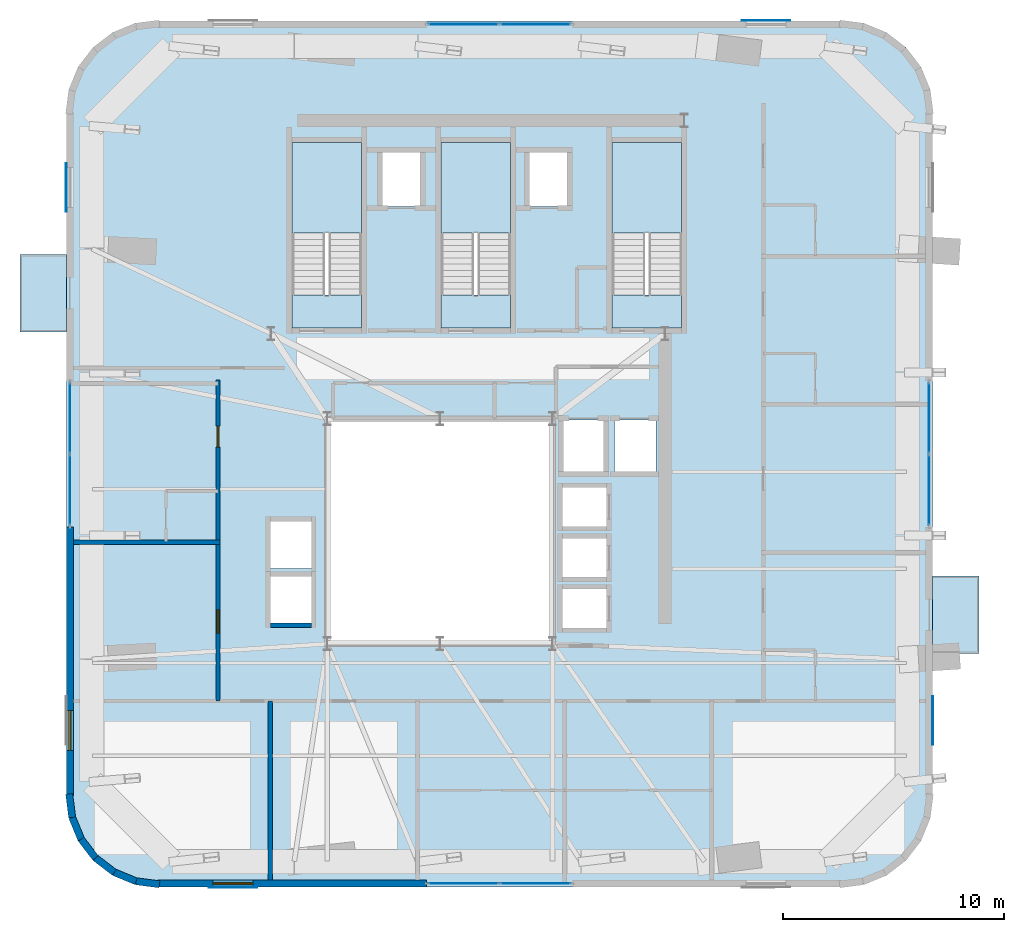
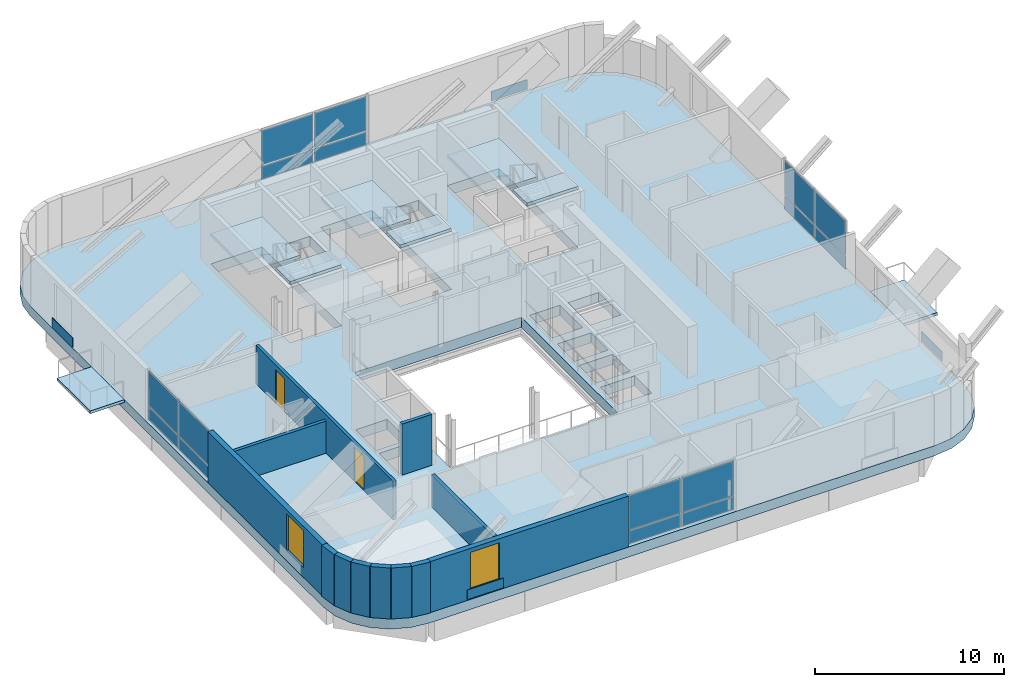
# One storey, part 5 of 12: 20 plates, 12 walls, 9 slabs, 2 doors, 2 windows, 4 openings, 7 elements without a shape of their own.
"""IFC4 building model written with IfcOpenShell, lengths in metres."""

from ifc_helpers import new_model, si_unit, direction, frame, frame_2d, origin, origin_2d, place, context, subcontext, project, spatial, polyline, rectangle, outline, extrude, source, transform, mapped, material, layer, layer_set, type_object, element, fill, aggregate, save


model = new_model("IFC4")

# Units and contexts
model_context = context("Model", 3, precision=1e-05, world=origin(), true_north=direction((0.0, 1.0)))
body_context = subcontext(model_context, "Body", "Model", "MODEL_VIEW")
ifc_project = project(units=[si_unit("LENGTHUNIT", "METRE"), si_unit("AREAUNIT", "SQUARE_METRE"), si_unit("VOLUMEUNIT", "CUBIC_METRE"), si_unit("PLANEANGLEUNIT", "RADIAN"), si_unit("MASSUNIT", "GRAM", prefix="KILO")], contexts=[model_context])

# Site, building, storey
site_placement = place(None, origin())
site = spatial("IfcSite", under=ifc_project, at=site_placement, CompositionType="ELEMENT")
building_placement = place(site_placement, origin())
building = spatial("IfcBuilding", under=site, at=building_placement, Name="Vardaveli Station Tower", CompositionType="ELEMENT")
storey_placement = place(building_placement, frame((0.0, 0.0, 282.199951171875)))
storey = spatial("IfcBuildingStorey", under=building, at=storey_placement, Name="L72", CompositionType="ELEMENT", Elevation=282.199951171875)

# Stair, slabs
ifc_material_1 = material(Name="Concrete C40/50", Category="concrete")
stair_type = type_object("IfcStairType", Name="STR-CORE-1500", PredefinedType="HALF_TURN_STAIR", material=ifc_material_1)
stair_1_placement = place(storey_placement, origin())
stair_1 = element("IfcStair", 1, at=stair_1_placement, inside=storey, type_object=stair_type, Name="L72 ST-1", PredefinedType="HALF_TURN_STAIR")
ifc_layer_1 = layer(ifc_material_1, 0.199951171875, Name="Concrete C40/50")
ifc_layer_set_1 = layer_set([ifc_layer_1], Name="Concrete C40/50")
slab_type_1 = type_object("IfcSlabType", Name="SLB-LAND-200", PredefinedType="LANDING", material=ifc_layer_set_1)
slab_1_placement = place(storey_placement, frame((0.0, 0.0, 1.775146484375)))
slab_1 = element("IfcSlab", 2, at=slab_1_placement, type_object=slab_type_1, Name="ST-1 landing 1", PredefinedType="LANDING", context=body_context, shape_type="SweptSolid", body=[
    extrude(outline(polyline([(32.75, 35.199951171875), (32.75, 39.300048828125), (29.60009765625, 39.300048828125), (29.60009765625, 35.199951171875), (32.75, 35.199951171875)])), origin(), (0.0, 0.0, 1.0), 0.199951171875),
])
slab_2_placement = place(storey_placement, frame((0.0, 0.0, 3.75)))
slab_2 = element("IfcSlab", 3, at=slab_2_placement, type_object=slab_type_1, Name="ST-1 landing 2", PredefinedType="LANDING", context=body_context, shape_type="SweptSolid", body=[
    extrude(outline(polyline([(32.75, 30.89990234375), (32.75, 32.39990234375), (29.60009765625, 32.39990234375), (29.60009765625, 30.89990234375), (32.75, 30.89990234375)])), origin(), (0.0, 0.0, 1.0), 0.199951171875),
])
aggregate(stair_1, [slab_1, slab_2])

stair_2_placement = place(storey_placement, origin())
stair_2 = element("IfcStair", 4, at=stair_2_placement, inside=storey, type_object=stair_type, Name="L72 ST-2", PredefinedType="HALF_TURN_STAIR")
slab_3_placement = place(storey_placement, frame((0.0, 0.0, 1.775146484375)))
slab_3 = element("IfcSlab", 5, at=slab_3_placement, type_object=slab_type_1, Name="ST-2 landing 1", PredefinedType="LANDING", context=body_context, shape_type="SweptSolid", body=[
    extrude(outline(polyline([(39.5, 35.199951171875), (39.5, 39.300048828125), (36.35009765625, 39.300048828125), (36.35009765625, 35.199951171875), (39.5, 35.199951171875)])), origin(), (0.0, 0.0, 1.0), 0.199951171875),
])
slab_4_placement = place(storey_placement, frame((0.0, 0.0, 3.75)))
slab_4 = element("IfcSlab", 6, at=slab_4_placement, type_object=slab_type_1, Name="ST-2 landing 2", PredefinedType="LANDING", context=body_context, shape_type="SweptSolid", body=[
    extrude(outline(polyline([(39.5, 30.89990234375), (39.5, 32.39990234375), (36.35009765625, 32.39990234375), (36.35009765625, 30.89990234375), (39.5, 30.89990234375)])), origin(), (0.0, 0.0, 1.0), 0.199951171875),
])
aggregate(stair_2, [slab_3, slab_4])

stair_3_placement = place(storey_placement, origin())
stair_3 = element("IfcStair", 7, at=stair_3_placement, inside=storey, type_object=stair_type, Name="L72 ST-3", PredefinedType="HALF_TURN_STAIR")
slab_5_placement = place(storey_placement, frame((0.0, 0.0, 1.775146484375)))
slab_5 = element("IfcSlab", 8, at=slab_5_placement, type_object=slab_type_1, Name="ST-3 landing 1", PredefinedType="LANDING", context=body_context, shape_type="SweptSolid", body=[
    extrude(outline(polyline([(47.25, 35.199951171875), (47.25, 39.300048828125), (44.10009765625, 39.300048828125), (44.10009765625, 35.199951171875), (47.25, 35.199951171875)])), origin(), (0.0, 0.0, 1.0), 0.199951171875),
])
slab_6_placement = place(storey_placement, frame((0.0, 0.0, 3.75)))
slab_6 = element("IfcSlab", 9, at=slab_6_placement, type_object=slab_type_1, Name="ST-3 landing 2", PredefinedType="LANDING", context=body_context, shape_type="SweptSolid", body=[
    extrude(outline(polyline([(47.25, 30.89990234375), (47.25, 32.39990234375), (44.10009765625, 32.39990234375), (44.10009765625, 30.89990234375), (47.25, 30.89990234375)])), origin(), (0.0, 0.0, 1.0), 0.199951171875),
])
aggregate(stair_3, [slab_5, slab_6])

# Slabs
ifc_material_2 = material(Name="Precast concrete C45/55", Category="concrete")
ifc_layer_2 = layer(ifc_material_2, 0.179931640625, Name="Precast concrete C45/55")
ifc_layer_set_2 = layer_set([ifc_layer_2], Name="Precast concrete C45/55")
slab_type_2 = type_object("IfcSlabType", Name="SLB-LOGGIA-180", PredefinedType="FLOOR", material=ifc_layer_set_2)
slab_7_placement = place(storey_placement, frame((0.0, 0.0, -0.179931640625)))
element("IfcSlab", 10, at=slab_7_placement, inside=storey, type_object=slab_type_2, Name="LOG-L72-W", PredefinedType="FLOOR", context=body_context, shape_type="SweptSolid", body=[
    extrude(outline(polyline([(17.280029296875, 30.73388671875), (19.3798828125, 30.73388671875), (19.3798828125, 34.23388671875), (17.280029296875, 34.23388671875), (17.280029296875, 30.73388671875)])), origin(), (0.0, 0.0, 1.0), 0.179931640625),
])
slab_8_placement = place(storey_placement, frame((0.0, 0.0, -0.179931640625)))
element("IfcSlab", 11, at=slab_8_placement, inside=storey, type_object=slab_type_2, Name="LOG-L72-E", PredefinedType="FLOOR", context=body_context, shape_type="SweptSolid", body=[
    extrude(outline(polyline([(58.6201171875, 16.166015625), (60.719970703125, 16.166015625), (60.719970703125, 19.666015625), (58.6201171875, 19.666015625), (58.6201171875, 16.166015625)])), origin(), (0.0, 0.0, 1.0), 0.179931640625),
])
ifc_material_3 = material(Name="Concrete C50/60", Category="concrete")
ifc_layer_3 = layer(ifc_material_3, 0.64990234375, Name="Concrete C50/60")
ifc_layer_set_3 = layer_set([ifc_layer_3], Name="Concrete C50/60")
slab_type_3 = type_object("IfcSlabType", Name="SLB-TRANS-600", PredefinedType="FLOOR", material=ifc_layer_set_3)
slab_9_placement = place(storey_placement, frame((0.0, 0.0, -0.64990234375)))
element("IfcSlab", 12, at=slab_9_placement, inside=storey, type_object=slab_type_3, Name="SLB-L72-MAIN", PredefinedType="FLOOR", context=body_context, shape_type="SweptSolid", body=[
    extrude(outline(polyline([(19.3798828125, 9.699951171875), (19.5205078125, 8.633544921875), (19.931884765625, 7.639892578125), (20.586669921875, 6.78662109375), (21.43994140625, 6.132080078125), (22.43359375, 5.720458984375), (23.5, 5.580078125), (54.5, 5.580078125), (55.56640625, 5.720458984375), (56.56005859375, 6.132080078125), (57.413330078125, 6.78662109375), (58.068115234375, 7.639892578125), (58.4794921875, 8.633544921875), (58.6201171875, 9.699951171875), (58.6201171875, 40.699951171875), (58.4794921875, 41.766357421875), (58.068115234375, 42.760009765625), (57.413330078125, 43.61328125), (56.56005859375, 44.26806640625), (55.56640625, 44.6796875), (54.5, 44.820068359375), (23.5, 44.820068359375), (22.43359375, 44.6796875), (21.43994140625, 44.26806640625), (20.586669921875, 43.61328125), (19.931884765625, 42.760009765625), (19.5205078125, 41.766357421875), (19.3798828125, 40.699951171875), (19.3798828125, 9.699951171875)]), holes=[polyline([(31.199951171875, 16.60009765625), (41.39990234375, 16.60009765625), (41.39990234375, 26.800048828125), (31.199951171875, 26.800048828125), (31.199951171875, 16.60009765625)]), polyline([(32.75, 30.89990234375), (32.75, 39.300048828125), (29.60009765625, 39.300048828125), (29.60009765625, 30.89990234375), (32.75, 30.89990234375)]), polyline([(39.5, 30.89990234375), (39.5, 39.300048828125), (36.35009765625, 39.300048828125), (36.35009765625, 30.89990234375), (39.5, 30.89990234375)]), polyline([(47.25, 30.89990234375), (47.25, 39.300048828125), (44.10009765625, 39.300048828125), (44.10009765625, 30.89990234375), (47.25, 30.89990234375)]), polyline([(33.659912109375, 36.409912109375), (35.43994140625, 36.409912109375), (35.43994140625, 38.889892578125), (33.659912109375, 38.889892578125), (33.659912109375, 36.409912109375)]), polyline([(40.31005859375, 36.409912109375), (42.090087890625, 36.409912109375), (42.090087890625, 38.889892578125), (40.31005859375, 38.889892578125), (40.31005859375, 36.409912109375)]), polyline([(41.81005859375, 21.885009765625), (43.889892578125, 21.885009765625), (43.889892578125, 23.715087890625), (41.81005859375, 23.715087890625), (41.81005859375, 21.885009765625)]), polyline([(41.81005859375, 19.5849609375), (43.889892578125, 19.5849609375), (43.889892578125, 21.4150390625), (41.81005859375, 21.4150390625), (41.81005859375, 19.5849609375)]), polyline([(41.81005859375, 17.284912109375), (43.889892578125, 17.284912109375), (43.889892578125, 19.114990234375), (41.81005859375, 19.114990234375), (41.81005859375, 17.284912109375)]), polyline([(28.5849609375, 17.510009765625), (30.514892578125, 17.510009765625), (30.514892578125, 19.68994140625), (28.5849609375, 19.68994140625), (28.5849609375, 17.510009765625)]), polyline([(28.5849609375, 20.010009765625), (30.514892578125, 20.010009765625), (30.514892578125, 22.18994140625), (28.5849609375, 22.18994140625), (28.5849609375, 20.010009765625)]), polyline([(41.860107421875, 24.360107421875), (43.739990234375, 24.360107421875), (43.739990234375, 26.739990234375), (41.860107421875, 26.739990234375), (41.860107421875, 24.360107421875)]), polyline([(44.2099609375, 24.360107421875), (46.090087890625, 24.360107421875), (46.090087890625, 26.739990234375), (44.2099609375, 26.739990234375), (44.2099609375, 24.360107421875)])]), origin(), (0.0, 0.0, 1.0), 0.64990234375),
])

# Plates
ifc_material_4 = material(Name="Honed Caucasian travertine stone", Category="masonry")
ifc_layer_4 = layer(ifc_material_4, 0.034912109375, Name="Honed Caucasian travertine stone")
ifc_layer_set_4 = layer_set([ifc_layer_4], Name="Honed Caucasian travertine stone")
plate_type_1 = type_object("IfcPlateType", Name="PLT-TRAV-35", PredefinedType="SHEET", material=ifc_layer_set_4)
shared_shape_1 = source(origin(), body_context, "Body", "SweptSolid", [
    extrude(rectangle(XDim=2.199951171875, YDim=0.034912109375, at=origin_2d()), origin(), (0.0, 0.0, 1.0), 0.6201171875),
])
for number, where, z_axis, x_axis, name in (
    (13, (26.925048828125, 5.570556640625, 0.070068359375), (0.0, 0.0, 1.0), (1.0, 0.0, 0.0), "PLT-TR-L72-S"),
    (14, (51.074951171875, 44.82958984375, 0.070068359375), (0.0, 0.0, 1.0), (1.0, 0.0, 0.0), "PLT-TR-L72-N"),
    (15, (19.37060546875, 37.27490234375, 0.070068359375), (0.0, 0.0, 1.0), (0.0, 1.0, 0.0), "PLT-TR-L72-W"),
    (16, (58.62939453125, 13.125, 0.070068359375), (0.0, 0.0, 1.0), (0.0, 1.0, 0.0), "PLT-TR-L72-E"),
):
    element("IfcPlate", number, at=place(storey_placement, frame(where, z_axis=z_axis, x_axis=x_axis)), inside=storey, type_object=plate_type_1, Name=name, PredefinedType="SHEET", context=body_context, shape_type="MappedRepresentation", body=[
        mapped(shared_shape_1, transform((0.0, 0.0, 0.0), scale=1.0)),
    ])

# Curtain wall, plates
ifc_material_5 = material(Name="Travertine stone and solar-control glass", Category="masonry")
curtain_wall_type = type_object("IfcCurtainWallType", Name="CW-SYS-5", PredefinedType="NOTDEFINED", material=ifc_material_5)
curtain_wall_1_placement = place(storey_placement, origin())
curtain_wall_1 = element("IfcCurtainWall", 17, at=curtain_wall_1_placement, inside=storey, type_object=curtain_wall_type, Name="CW-L72-S", PredefinedType="NOTDEFINED")
ifc_material_6 = material(Name="Double-glazed low-E solar-control glass", Category="glass")
ifc_layer_5 = layer(ifc_material_6, 0.031982421875, Name="Double-glazed low-E solar-control glass")
ifc_layer_set_5 = layer_set([ifc_layer_5], Name="Double-glazed low-E solar-control glass")
plate_type_2 = type_object("IfcPlateType", Name="CW-SYS-5-PAN", PredefinedType="CURTAIN_PANEL", material=ifc_layer_set_5)
shared_shape_2 = source(origin(), body_context, "Body", "SweptSolid", [
    extrude(rectangle(XDim=3.179931640625, YDim=0.031982421875, at=origin_2d()), origin(), (0.0, 0.0, 1.0), 0.830078125),
])
plate_1_placement = place(storey_placement, frame((37.3701171875, 5.739990234375, 0.080078125), z_axis=(0.0, 0.0, 1.0), x_axis=(1.0, 0.0, 0.0)))
plate_1 = element("IfcPlate", 18, at=plate_1_placement, type_object=plate_type_2, Name="CW-5 panel 1.1", PredefinedType="CURTAIN_PANEL", context=body_context, shape_type="MappedRepresentation", body=[
    mapped(shared_shape_2, transform((0.0, 0.0, 0.0), scale=1.0)),
])
plate_2_placement = place(storey_placement, frame((40.6298828125, 5.739990234375, 0.080078125), z_axis=(0.0, 0.0, 1.0), x_axis=(1.0, 0.0, 0.0)))
plate_2 = element("IfcPlate", 19, at=plate_2_placement, type_object=plate_type_2, Name="CW-5 panel 2.1", PredefinedType="CURTAIN_PANEL", context=body_context, shape_type="MappedRepresentation", body=[
    mapped(shared_shape_2, transform((0.0, 0.0, 0.0), scale=1.0)),
])

curtain_wall_2_placement = place(storey_placement, origin())
curtain_wall_2 = element("IfcCurtainWall", 20, at=curtain_wall_2_placement, inside=storey, type_object=curtain_wall_type, Name="CW-L72-N", PredefinedType="NOTDEFINED")
plate_3_placement = place(storey_placement, frame((40.6298828125, 44.659912109375, 0.080078125), z_axis=(0.0, 0.0, 1.0), x_axis=(-1.0, 0.0, 0.0)))
plate_3 = element("IfcPlate", 21, at=plate_3_placement, type_object=plate_type_2, Name="CW-5 panel 1.1", PredefinedType="CURTAIN_PANEL", context=body_context, shape_type="MappedRepresentation", body=[
    mapped(shared_shape_2, transform((0.0, 0.0, 0.0), scale=1.0)),
])
plate_4_placement = place(storey_placement, frame((37.3701171875, 44.659912109375, 0.080078125), z_axis=(0.0, 0.0, 1.0), x_axis=(-1.0, 0.0, 0.0)))
plate_4 = element("IfcPlate", 22, at=plate_4_placement, type_object=plate_type_2, Name="CW-5 panel 2.1", PredefinedType="CURTAIN_PANEL", context=body_context, shape_type="MappedRepresentation", body=[
    mapped(shared_shape_2, transform((0.0, 0.0, 0.0), scale=1.0)),
])

curtain_wall_3_placement = place(storey_placement, origin())
curtain_wall_3 = element("IfcCurtainWall", 23, at=curtain_wall_3_placement, inside=storey, type_object=curtain_wall_type, Name="CW-L72-W", PredefinedType="NOTDEFINED")
plate_5_placement = place(storey_placement, frame((19.5400390625, 26.830078125, 0.080078125), z_axis=(0.0, 0.0, 1.0), x_axis=(0.0, -1.0, 0.0)))
plate_5 = element("IfcPlate", 24, at=plate_5_placement, type_object=plate_type_2, Name="CW-5 panel 1.1", PredefinedType="CURTAIN_PANEL", context=body_context, shape_type="MappedRepresentation", body=[
    mapped(shared_shape_2, transform((0.0, 0.0, 0.0), scale=1.0)),
])
plate_6_placement = place(storey_placement, frame((19.5400390625, 23.570068359375, 0.080078125), z_axis=(0.0, 0.0, 1.0), x_axis=(0.0, -1.0, 0.0)))
plate_6 = element("IfcPlate", 25, at=plate_6_placement, type_object=plate_type_2, Name="CW-5 panel 2.1", PredefinedType="CURTAIN_PANEL", context=body_context, shape_type="MappedRepresentation", body=[
    mapped(shared_shape_2, transform((0.0, 0.0, 0.0), scale=1.0)),
])

curtain_wall_4_placement = place(storey_placement, origin())
curtain_wall_4 = element("IfcCurtainWall", 26, at=curtain_wall_4_placement, inside=storey, type_object=curtain_wall_type, Name="CW-L72-E", PredefinedType="NOTDEFINED")
plate_7_placement = place(storey_placement, frame((58.4599609375, 23.570068359375, 0.080078125), z_axis=(0.0, 0.0, 1.0), x_axis=(0.0, 1.0, 0.0)))
plate_7 = element("IfcPlate", 27, at=plate_7_placement, type_object=plate_type_2, Name="CW-5 panel 1.1", PredefinedType="CURTAIN_PANEL", context=body_context, shape_type="MappedRepresentation", body=[
    mapped(shared_shape_2, transform((0.0, 0.0, 0.0), scale=1.0)),
])
plate_8_placement = place(storey_placement, frame((58.4599609375, 26.830078125, 0.080078125), z_axis=(0.0, 0.0, 1.0), x_axis=(0.0, 1.0, 0.0)))
plate_8 = element("IfcPlate", 28, at=plate_8_placement, type_object=plate_type_2, Name="CW-5 panel 2.1", PredefinedType="CURTAIN_PANEL", context=body_context, shape_type="MappedRepresentation", body=[
    mapped(shared_shape_2, transform((0.0, 0.0, 0.0), scale=1.0)),
])

# Plate
shared_shape_3 = source(origin(), body_context, "Body", "SweptSolid", [
    extrude(rectangle(XDim=3.179931640625, YDim=0.031982421875, at=origin_2d()), origin(), (0.0, 0.0, 1.0), 2.22998046875),
])
plate_9_placement = place(storey_placement, frame((37.3701171875, 5.739990234375, 0.989990234375), z_axis=(0.0, 0.0, 1.0), x_axis=(1.0, 0.0, 0.0)))
plate_9 = element("IfcPlate", 29, at=plate_9_placement, type_object=plate_type_2, Name="CW-5 panel 1.2", PredefinedType="CURTAIN_PANEL", context=body_context, shape_type="MappedRepresentation", body=[
    mapped(shared_shape_3, transform((0.0, 0.0, 0.0), scale=1.0)),
])

plate_10_placement = place(storey_placement, frame((40.6298828125, 5.739990234375, 0.989990234375), z_axis=(0.0, 0.0, 1.0), x_axis=(1.0, 0.0, 0.0)))
plate_10 = element("IfcPlate", 30, at=plate_10_placement, type_object=plate_type_2, Name="CW-5 panel 2.2", PredefinedType="CURTAIN_PANEL", context=body_context, shape_type="MappedRepresentation", body=[
    mapped(shared_shape_3, transform((0.0, 0.0, 0.0), scale=1.0)),
])

aggregate(curtain_wall_1, [plate_1, plate_9, plate_2, plate_10])

plate_11_placement = place(storey_placement, frame((40.6298828125, 44.659912109375, 0.989990234375), z_axis=(0.0, 0.0, 1.0), x_axis=(-1.0, 0.0, 0.0)))
plate_11 = element("IfcPlate", 31, at=plate_11_placement, type_object=plate_type_2, Name="CW-5 panel 1.2", PredefinedType="CURTAIN_PANEL", context=body_context, shape_type="MappedRepresentation", body=[
    mapped(shared_shape_3, transform((0.0, 0.0, 0.0), scale=1.0)),
])

plate_12_placement = place(storey_placement, frame((37.3701171875, 44.659912109375, 0.989990234375), z_axis=(0.0, 0.0, 1.0), x_axis=(-1.0, 0.0, 0.0)))
plate_12 = element("IfcPlate", 32, at=plate_12_placement, type_object=plate_type_2, Name="CW-5 panel 2.2", PredefinedType="CURTAIN_PANEL", context=body_context, shape_type="MappedRepresentation", body=[
    mapped(shared_shape_3, transform((0.0, 0.0, 0.0), scale=1.0)),
])

aggregate(curtain_wall_2, [plate_3, plate_11, plate_4, plate_12])

plate_13_placement = place(storey_placement, frame((19.5400390625, 26.830078125, 0.989990234375), z_axis=(0.0, 0.0, 1.0), x_axis=(0.0, -1.0, 0.0)))
plate_13 = element("IfcPlate", 33, at=plate_13_placement, type_object=plate_type_2, Name="CW-5 panel 1.2", PredefinedType="CURTAIN_PANEL", context=body_context, shape_type="MappedRepresentation", body=[
    mapped(shared_shape_3, transform((0.0, 0.0, 0.0), scale=1.0)),
])

plate_14_placement = place(storey_placement, frame((19.5400390625, 23.570068359375, 0.989990234375), z_axis=(0.0, 0.0, 1.0), x_axis=(0.0, -1.0, 0.0)))
plate_14 = element("IfcPlate", 34, at=plate_14_placement, type_object=plate_type_2, Name="CW-5 panel 2.2", PredefinedType="CURTAIN_PANEL", context=body_context, shape_type="MappedRepresentation", body=[
    mapped(shared_shape_3, transform((0.0, 0.0, 0.0), scale=1.0)),
])

aggregate(curtain_wall_3, [plate_5, plate_13, plate_6, plate_14])

plate_15_placement = place(storey_placement, frame((58.4599609375, 23.570068359375, 0.989990234375), z_axis=(0.0, 0.0, 1.0), x_axis=(0.0, 1.0, 0.0)))
plate_15 = element("IfcPlate", 35, at=plate_15_placement, type_object=plate_type_2, Name="CW-5 panel 1.2", PredefinedType="CURTAIN_PANEL", context=body_context, shape_type="MappedRepresentation", body=[
    mapped(shared_shape_3, transform((0.0, 0.0, 0.0), scale=1.0)),
])

plate_16_placement = place(storey_placement, frame((58.4599609375, 26.830078125, 0.989990234375), z_axis=(0.0, 0.0, 1.0), x_axis=(0.0, 1.0, 0.0)))
plate_16 = element("IfcPlate", 36, at=plate_16_placement, type_object=plate_type_2, Name="CW-5 panel 2.2", PredefinedType="CURTAIN_PANEL", context=body_context, shape_type="MappedRepresentation", body=[
    mapped(shared_shape_3, transform((0.0, 0.0, 0.0), scale=1.0)),
])

aggregate(curtain_wall_4, [plate_7, plate_15, plate_8, plate_16])

# Wall, opening, window
ifc_layer_6 = layer(ifc_material_2, 0.320068359375, Name="Precast concrete C45/55")
ifc_layer_set_6 = layer_set([ifc_layer_6], Name="Precast concrete C45/55")
wall_type_1 = type_object("IfcWallType", Name="WAL-EXT-STONE-320", PredefinedType="SOLIDWALL", material=ifc_layer_set_6)
shared_shape_4 = source(origin(), body_context, "Body", "SweptSolid", [
    extrude(rectangle(XDim=12.199951171875, YDim=0.320068359375, at=frame_2d((6.10009765625, 0.0))), origin(), (0.0, 0.0, 1.0), 3.300048828125),
])
wall_1_placement = place(storey_placement, frame((23.5, 5.739990234375, 0.0), z_axis=(0.0, 0.0, 1.0), x_axis=(1.0, 0.0, 0.0)))
wall_1 = element("IfcWall", 37, at=wall_1_placement, inside=storey, type_object=wall_type_1, Name="EW-L72-S1", PredefinedType="SOLIDWALL", context=body_context, shape_type="MappedRepresentation", body=[
    mapped(shared_shape_4, transform((0.0, 0.0, 0.0), scale=1.0)),
])
shared_shape_5 = source(origin(), body_context, "Body", "SweptSolid", [
    extrude(rectangle(XDim=1.800048828125, YDim=2.39990234375, at=frame_2d((0.89990234375, 1.199951171875))), frame((0.0, 0.169921875, 0.0), z_axis=(0.0, -1.0, 0.0), x_axis=(1.0, 0.0, 0.0)), (0.0, 0.0, 1.0), 0.340087890625),
])
opening_1_placement = place(wall_1_placement, frame((2.52490234375, 0.0, 0.639892578125)))
opening_1 = element("IfcOpeningElement", 38, at=opening_1_placement, cuts=wall_1, Name="Opening W-05", PredefinedType="OPENING", context=body_context, shape_type="MappedRepresentation", body=[
    mapped(shared_shape_5, transform((0.0, 0.0, 0.0), scale=1.0)),
])
ifc_material_7 = material(Name="Low-E solar-control glass", Category="glass")
window_type = type_object("IfcWindowType", Name="WIN-HIGH-1800x2400", PartitioningType="SINGLE_PANEL", PredefinedType="WINDOW", material=ifc_material_7)
shared_shape_6 = source(origin(), body_context, "Body", "SweptSolid", [
    extrude(rectangle(XDim=1.800048828125, YDim=2.39990234375, at=frame_2d((0.89990234375, 1.199951171875))), frame((0.0, 0.030029296875, 0.0), z_axis=(0.0, -1.0, 0.0), x_axis=(1.0, 0.0, 0.0)), (0.0, 0.0, 1.0), 0.06005859375),
])
window_1_placement = place(opening_1_placement, origin())
window_1 = element("IfcWindow", 39, at=window_1_placement, inside=storey, type_object=window_type, Name="WN-L72-S1", OverallHeight=2.39990234375, OverallWidth=1.800048828125, PartitioningType="SINGLE_PANEL", PredefinedType="WINDOW", context=body_context, shape_type="MappedRepresentation", body=[
    mapped(shared_shape_6, transform((0.0, 0.0, 0.0), scale=1.0)),
])
fill(opening_1, window_1)

wall_2_placement = place(storey_placement, frame((19.5400390625, 21.89990234375, 0.0), z_axis=(0.0, 0.0, 1.0), x_axis=(0.0, -1.0, 0.0)))
wall_2 = element("IfcWall", 40, at=wall_2_placement, inside=storey, type_object=wall_type_1, Name="EW-L72-W2", PredefinedType="SOLIDWALL", context=body_context, shape_type="MappedRepresentation", body=[
    mapped(shared_shape_4, transform((0.0, 0.0, 0.0), scale=1.0)),
])
opening_2_placement = place(wall_2_placement, frame((8.324951171875, 0.0, 0.639892578125)))
opening_2 = element("IfcOpeningElement", 41, at=opening_2_placement, cuts=wall_2, Name="Opening W-05", PredefinedType="OPENING", context=body_context, shape_type="MappedRepresentation", body=[
    mapped(shared_shape_5, transform((0.0, 0.0, 0.0), scale=1.0)),
])
window_2_placement = place(opening_2_placement, origin())
window_2 = element("IfcWindow", 42, at=window_2_placement, inside=storey, type_object=window_type, Name="WN-L72-W2", OverallHeight=2.39990234375, OverallWidth=1.800048828125, PartitioningType="SINGLE_PANEL", PredefinedType="WINDOW", context=body_context, shape_type="MappedRepresentation", body=[
    mapped(shared_shape_6, transform((0.0, 0.0, 0.0), scale=1.0)),
])
fill(opening_2, window_2)

# Walls
shared_shape_7 = source(origin(), body_context, "Body", "SweptSolid", [
    extrude(rectangle(XDim=1.070556640625, YDim=0.320068359375, at=frame_2d((0.53515625, 0.0))), origin(), (0.0, 0.0, 1.0), 3.300048828125),
])
for number, where, z_axis, x_axis, name in (
    (43, (19.505615234375, 9.799072265625, 0.0), (0.0, 0.0, 1.0), (0.127710832249, -0.99181144545, 0.0), "EW-L72-CR1-1"),
    (44, (22.537353515625, 5.84228515625, 0.0), (0.0, 0.0, 1.0), (0.99181144545, -0.127710832249, 0.0), "EW-L72-CR1-6"),
):
    element("IfcWall", number, at=place(storey_placement, frame(where, z_axis=z_axis, x_axis=x_axis)), inside=storey, type_object=wall_type_1, Name=name, PredefinedType="SOLIDWALL", context=body_context, shape_type="MappedRepresentation", body=[
        mapped(shared_shape_7, transform((0.0, 0.0, 0.0), scale=1.0)),
    ])
shared_shape_8 = source(origin(), body_context, "Body", "SweptSolid", [
    extrude(rectangle(XDim=1.069580078125, YDim=0.320068359375, at=frame_2d((0.53466796875, 0.0))), origin(), (0.0, 0.0, 1.0), 3.300048828125),
])
for number, where, z_axis, x_axis, name in (
    (45, (19.642333984375, 8.7373046875, 0.0), (0.0, 0.0, 1.0), (0.380738324673, -0.92468282569, 0.0), "EW-L72-CR1-2"),
    (46, (21.54833984375, 6.249755859375, 0.0), (0.0, 0.0, 1.0), (0.92460245023, -0.380933470608, 0.0), "EW-L72-CR1-5"),
):
    element("IfcWall", number, at=place(storey_placement, frame(where, z_axis=z_axis, x_axis=x_axis)), inside=storey, type_object=wall_type_1, Name=name, PredefinedType="SOLIDWALL", context=body_context, shape_type="MappedRepresentation", body=[
        mapped(shared_shape_8, transform((0.0, 0.0, 0.0), scale=1.0)),
    ])
shared_shape_9 = source(origin(), body_context, "Body", "SweptSolid", [
    extrude(rectangle(XDim=1.069091796875, YDim=0.320068359375, at=frame_2d((0.53466796875, 0.0))), origin(), (0.0, 0.0, 1.0), 3.300048828125),
])
wall_3_placement = place(storey_placement, frame((20.049560546875, 7.748291015625, 0.0), z_axis=(0.0, 0.0, 1.0), x_axis=(0.608407570543, -0.793624740104, 0.0)))
element("IfcWall", 47, at=wall_3_placement, inside=storey, type_object=wall_type_1, Name="EW-L72-CR1-3", PredefinedType="SOLIDWALL", context=body_context, shape_type="MappedRepresentation", body=[
    mapped(shared_shape_9, transform((0.0, 0.0, 0.0), scale=1.0)),
])
shared_shape_10 = source(origin(), body_context, "Body", "SweptSolid", [
    extrude(rectangle(XDim=1.06884765625, YDim=0.320068359375, at=frame_2d((0.534423828125, 0.0))), origin(), (0.0, 0.0, 1.0), 3.300048828125),
])
wall_4_placement = place(storey_placement, frame((20.699951171875, 6.89990234375, 0.0), z_axis=(0.0, 0.0, 1.0), x_axis=(0.793735015643, -0.60826369688, 0.0)))
element("IfcWall", 48, at=wall_4_placement, inside=storey, type_object=wall_type_1, Name="EW-L72-CR1-4", PredefinedType="SOLIDWALL", context=body_context, shape_type="MappedRepresentation", body=[
    mapped(shared_shape_10, transform((0.0, 0.0, 0.0), scale=1.0)),
])
ifc_layer_7 = layer(ifc_material_1, 0.219970703125, Name="Concrete C40/50")
ifc_layer_set_7 = layer_set([ifc_layer_7], Name="Concrete C40/50")
wall_type_2 = type_object("IfcWallType", Name="WAL-FFLOBBY-220", PredefinedType="SOLIDWALL", material=ifc_layer_set_7)
shared_shape_11 = source(origin(), body_context, "Body", "SweptSolid", [
    extrude(rectangle(XDim=1.85009765625, YDim=0.219970703125, at=frame_2d((0.925048828125, 0.0))), origin(), (0.0, 0.0, 1.0), 3.300048828125),
])
wall_5_placement = place(storey_placement, frame((28.625, 17.43994140625, 0.0), z_axis=(0.0, 0.0, 1.0), x_axis=(1.0, 0.0, 0.0)))
element("IfcWall", 49, at=wall_5_placement, inside=storey, type_object=wall_type_2, Name="SHW-OBS-01-L72-S", PredefinedType="SOLIDWALL", context=body_context, shape_type="MappedRepresentation", body=[
    mapped(shared_shape_11, transform((0.0, 0.0, 0.0), scale=1.0)),
])

# Wall, openings, doors
ifc_material_8 = material(Name="Fire-rated gypsum stud partition")
ifc_layer_8 = layer(ifc_material_8, 0.179931640625, Name="Fire-rated gypsum stud partition")
ifc_layer_set_8 = layer_set([ifc_layer_8], Name="Fire-rated gypsum stud partition")
wall_type_3 = type_object("IfcWallType", Name="WAL-CORR-180", PredefinedType="PARTITIONING", material=ifc_layer_set_8)
shared_shape_12 = source(origin(), body_context, "Body", "SweptSolid", [
    extrude(rectangle(XDim=14.5400390625, YDim=0.179931640625, at=frame_2d((7.27001953125, 0.0))), origin(), (0.0, 0.0, 1.0), 2.47802734375),
])
wall_6_placement = place(storey_placement, frame((26.25, 14.010009765625, 0.0), z_axis=(0.0, 0.0, 1.0), x_axis=(0.0, 1.0, 0.0)))
wall_6 = element("IfcWall", 50, at=wall_6_placement, inside=storey, type_object=wall_type_3, Name="W-L72-CW", PredefinedType="PARTITIONING", context=body_context, shape_type="MappedRepresentation", body=[
    mapped(shared_shape_12, transform((0.0, 0.0, 0.0), scale=1.0)),
])
shared_shape_13 = source(origin(), body_context, "Body", "SweptSolid", [
    extrude(rectangle(XDim=1.050048828125, YDim=2.199951171875, at=frame_2d((0.52490234375, 1.10009765625))), frame((0.0, 0.10009765625, 0.0), z_axis=(0.0, -1.0, 0.0), x_axis=(1.0, 0.0, 0.0)), (0.0, 0.0, 1.0), 0.199951171875),
])
opening_3_placement = place(wall_6_placement, frame((3.077392578125, 0.0, 0.0)))
opening_3 = element("IfcOpeningElement", 51, at=opening_3_placement, cuts=wall_6, Name="Opening D-05", PredefinedType="OPENING", context=body_context, shape_type="MappedRepresentation", body=[
    mapped(shared_shape_13, transform((0.0, 0.0, 0.0), scale=1.0)),
])
shared_shape_14 = source(origin(), body_context, "Body", "SweptSolid", [
    extrude(rectangle(XDim=0.949951171875, YDim=2.14990234375, at=frame_2d((0.47509765625, 1.074951171875))), frame((0.0, 0.10009765625, 0.0), z_axis=(0.0, -1.0, 0.0), x_axis=(1.0, 0.0, 0.0)), (0.0, 0.0, 1.0), 0.199951171875),
])
opening_4_placement = place(wall_6_placement, frame((11.49755859375, 0.0, 0.0)))
opening_4 = element("IfcOpeningElement", 52, at=opening_4_placement, cuts=wall_6, Name="Opening D-06", PredefinedType="OPENING", context=body_context, shape_type="MappedRepresentation", body=[
    mapped(shared_shape_14, transform((0.0, 0.0, 0.0), scale=1.0)),
])
ifc_material_9 = material(Name="Walnut veneer acoustic fire door")
door_type_1 = type_object("IfcDoorType", Name="DR-SUITE-1050x2200", OperationType="NOTDEFINED", PredefinedType="DOOR", material=ifc_material_9)
shared_shape_15 = source(origin(), body_context, "Body", "SweptSolid", [
    extrude(rectangle(XDim=1.050048828125, YDim=2.199951171875, at=frame_2d((0.52490234375, 1.10009765625))), frame((0.0, 0.02490234375, 0.0), z_axis=(0.0, -1.0, 0.0), x_axis=(1.0, 0.0, 0.0)), (0.0, 0.0, 1.0), 0.050048828125),
])
door_1_placement = place(opening_3_placement, origin())
door_1 = element("IfcDoor", 53, at=door_1_placement, inside=storey, type_object=door_type_1, Name="D-L72-GW1", OperationType="SINGLE_SWING_RIGHT", OverallHeight=2.199951171875, OverallWidth=1.050048828125, PredefinedType="DOOR", context=body_context, shape_type="MappedRepresentation", body=[
    mapped(shared_shape_15, transform((0.0, 0.0, 0.0), scale=1.0)),
])
fill(opening_3, door_1)
ifc_material_10 = material(Name="Oak veneer acoustic fire door")
door_type_2 = type_object("IfcDoorType", Name="DR-GUEST-950x2150", OperationType="NOTDEFINED", PredefinedType="DOOR", material=ifc_material_10)
shared_shape_16 = source(origin(), body_context, "Body", "SweptSolid", [
    extrude(rectangle(XDim=0.949951171875, YDim=2.14990234375, at=frame_2d((0.47509765625, 1.074951171875))), frame((0.0, 0.02490234375, 0.0), z_axis=(0.0, -1.0, 0.0), x_axis=(1.0, 0.0, 0.0)), (0.0, 0.0, 1.0), 0.050048828125),
])
door_2_placement = place(opening_4_placement, origin())
door_2 = element("IfcDoor", 54, at=door_2_placement, inside=storey, type_object=door_type_2, Name="D-L72-GW2", OperationType="SINGLE_SWING_RIGHT", OverallHeight=2.14990234375, OverallWidth=0.949951171875, PredefinedType="DOOR", context=body_context, shape_type="MappedRepresentation", body=[
    mapped(shared_shape_16, transform((0.0, 0.0, 0.0), scale=1.0)),
])
fill(opening_4, door_2)

# Walls
ifc_material_11 = material(Name="Acoustic twin-stud gypsum partition")
ifc_layer_9 = layer(ifc_material_11, 0.199951171875, Name="Acoustic twin-stud gypsum partition")
ifc_layer_set_9 = layer_set([ifc_layer_9], Name="Acoustic twin-stud gypsum partition")
wall_type_4 = type_object("IfcWallType", Name="WAL-PARTY-200", PredefinedType="PARTITIONING", material=ifc_layer_set_9)
shared_shape_17 = source(origin(), body_context, "Body", "SweptSolid", [
    extrude(rectangle(XDim=8.10791015625, YDim=0.199951171875, at=frame_2d((4.053955078125, 0.0))), origin(), (0.0, 0.0, 1.0), 2.080078125),
])
wall_7_placement = place(storey_placement, frame((28.6201171875, 5.902099609375, 0.0), z_axis=(0.0, 0.0, 1.0), x_axis=(0.0, 1.0, 0.0)))
element("IfcWall", 55, at=wall_7_placement, inside=storey, type_object=wall_type_4, Name="W-L72-PS1", PredefinedType="PARTITIONING", context=body_context, shape_type="MappedRepresentation", body=[
    mapped(shared_shape_17, transform((0.0, 0.0, 0.0), scale=1.0)),
])
shared_shape_18 = source(origin(), body_context, "Body", "SweptSolid", [
    extrude(rectangle(XDim=6.648193359375, YDim=0.199951171875, at=frame_2d((3.32421875, 0.0))), origin(), (0.0, 0.0, 1.0), 2.080078125),
])
wall_8_placement = place(storey_placement, frame((19.701904296875, 21.205078125, 0.0), z_axis=(0.0, 0.0, 1.0), x_axis=(1.0, 0.0, 0.0)))
element("IfcWall", 56, at=wall_8_placement, inside=storey, type_object=wall_type_4, Name="W-L72-PW1", PredefinedType="PARTITIONING", context=body_context, shape_type="MappedRepresentation", body=[
    mapped(shared_shape_18, transform((0.0, 0.0, 0.0), scale=1.0)),
])

save(model, "model.ifc")
